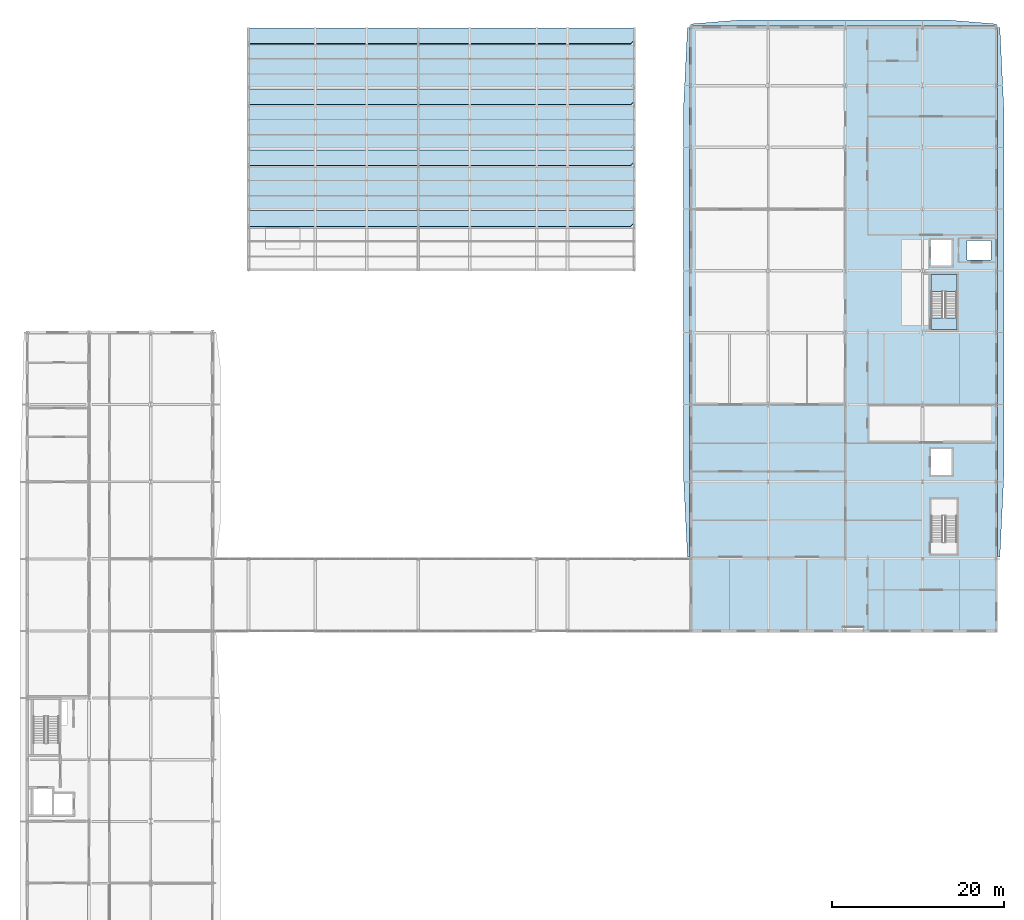
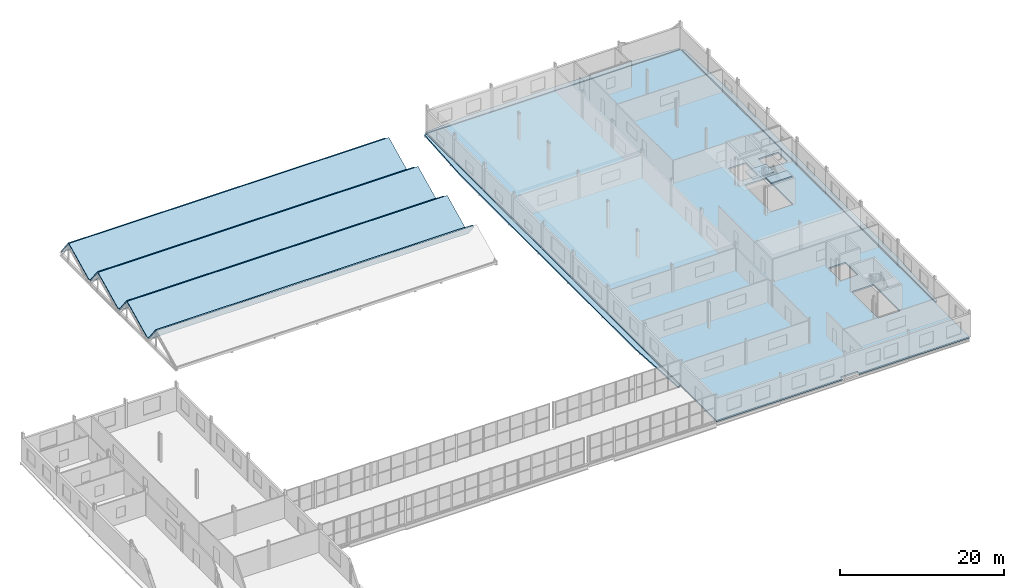
# One storey, part 103 of 138: 13 slabs, 1 element without a shape of its own.
"""IFC4 building model written with IfcOpenShell, lengths in metres."""

from ifc_helpers import new_model, si_unit, direction, frame, origin, place, context, subcontext, project, spatial, polyline, outline, extrude, material, layer, layer_set, type_object, element, aggregate, save


model = new_model("IFC4")

# Units and contexts
model_context = context("Model", 3, precision=1e-05, world=origin(), true_north=direction((0.0, 1.0)))
body_context = subcontext(model_context, "Body", "Model", "MODEL_VIEW")
ifc_project = project(units=[si_unit("LENGTHUNIT", "METRE"), si_unit("AREAUNIT", "SQUARE_METRE"), si_unit("VOLUMEUNIT", "CUBIC_METRE"), si_unit("PLANEANGLEUNIT", "RADIAN"), si_unit("MASSUNIT", "GRAM", prefix="KILO")], contexts=[model_context])

# Site, building, storey
site_placement = place(None, origin())
site = spatial("IfcSite", under=ifc_project, at=site_placement, CompositionType="ELEMENT")
building_placement = place(site_placement, origin())
building = spatial("IfcBuilding", under=site, at=building_placement, Name="Vinh Khe Railworks Police Headquarters", CompositionType="ELEMENT")
storey_placement = place(building_placement, frame((0.0, 0.0, 9.0)))
storey = spatial("IfcBuildingStorey", under=building, at=storey_placement, Name="L02", CompositionType="ELEMENT", Elevation=9.0)

# Slabs
ifc_material_1 = material(Name="Concrete C35/45 (B35)", Category="concrete")
ifc_layer_1 = layer(ifc_material_1, 0.199951171875)
ifc_layer_set_1 = layer_set([ifc_layer_1], Name="Concrete C35/45 (B35)")
slab_type_1 = type_object("IfcSlabType", Name="Flat Structural Roof Slab 200", PredefinedType="ROOF", material=ifc_layer_set_1)
slab_1_placement = place(storey_placement, frame((0.0, 0.0, -0.239990234375)))
element("IfcSlab", 1, at=slab_1_placement, inside=storey, type_object=slab_type_1, Name="Monsoon Window Eyebrow Hood V6W (L02)", PredefinedType="ROOF", context=body_context, shape_type="SweptSolid", body=[
    extrude(outline(polyline([(77.85009765625, 104.60009765625), (77.85009765625, 166.39990234375), (77.58740234375, 166.39990234375), (77.10009765625, 156.511962890625), (77.10009765625, 114.488037109375), (77.58740234375, 104.60009765625), (77.85009765625, 104.60009765625)])), origin(), (0.0, 0.0, 1.0), 0.199951171875),
])
slab_2_placement = place(storey_placement, frame((0.0, 0.0, -0.239990234375)))
element("IfcSlab", 2, at=slab_2_placement, inside=storey, type_object=slab_type_1, Name="Monsoon Window Eyebrow Hood V6E (L02)", PredefinedType="ROOF", context=body_context, shape_type="SweptSolid", body=[
    extrude(outline(polyline([(113.760009765625, 104.60009765625), (114.01904296875, 104.60009765625), (114.5, 114.488037109375), (114.5, 156.511962890625), (114.01904296875, 166.39990234375), (113.760009765625, 166.39990234375), (113.760009765625, 104.60009765625)])), origin(), (0.0, 0.0, 1.0), 0.199951171875),
])
slab_3_placement = place(storey_placement, frame((0.0, 0.0, -0.239990234375)))
element("IfcSlab", 3, at=slab_3_placement, inside=storey, type_object=slab_type_1, Name="Monsoon Window Eyebrow Hood V6N (L02)", PredefinedType="ROOF", context=body_context, shape_type="SweptSolid", body=[
    extrude(outline(polyline([(78.0, 166.5400390625), (113.60009765625, 166.5400390625), (113.60009765625, 166.78857421875), (107.904052734375, 167.25), (83.696044921875, 167.25), (78.0, 166.78857421875), (78.0, 166.5400390625)])), origin(), (0.0, 0.0, 1.0), 0.199951171875),
])

# Stair, slabs
ifc_material_2 = material(Name="Precast concrete C40/50 (B40)", Category="concrete")
stair_type = type_object("IfcStairType", Name="ST-CORE-DOGLEG", PredefinedType="HALF_TURN_STAIR", material=ifc_material_2)
stair_placement = place(storey_placement, origin())
stair = element("IfcStair", 4, at=stair_placement, inside=storey, type_object=stair_type, Name="L02 Escape Stair ST-03", PredefinedType="HALF_TURN_STAIR")
ifc_layer_2 = layer(ifc_material_1, 0.199951171875)
ifc_layer_set_2 = layer_set([ifc_layer_2], Name="Concrete C35/45 (B35)")
slab_type_2 = type_object("IfcSlabType", Name="SLB-LAND-200", PredefinedType="LANDING", material=ifc_layer_set_2)
slab_4_placement = place(storey_placement, frame((0.0, 0.0, 1.89990234375)))
slab_4 = element("IfcSlab", 5, at=slab_4_placement, type_object=slab_type_2, Name="ST-03 landing 1", PredefinedType="LANDING", context=body_context, shape_type="SweptSolid", body=[
    extrude(outline(polyline([(109.0, 135.580078125), (109.0, 137.550048828125), (106.0, 137.550048828125), (106.0, 135.580078125), (109.0, 135.580078125)])), origin(), (0.0, 0.0, 1.0), 0.2001953125),
])
slab_5_placement = place(storey_placement, frame((0.0, 0.0, 4.0)))
slab_5 = element("IfcSlab", 6, at=slab_5_placement, type_object=slab_type_2, Name="ST-03 landing 2", PredefinedType="LANDING", context=body_context, shape_type="SweptSolid", body=[
    extrude(outline(polyline([(105.97998046875, 131.1298828125), (109.02001953125, 131.1298828125), (109.02001953125, 132.510009765625), (105.97998046875, 132.510009765625), (105.97998046875, 131.1298828125)])), origin(), (0.0, 0.0, 1.0), 0.199951171875),
])
aggregate(stair, [slab_4, slab_5])

# Slabs
ifc_layer_3 = layer(ifc_material_1, 0.14990234375)
ifc_layer_set_3 = layer_set([ifc_layer_3], Name="Concrete C35/45 (B35)")
slab_type_3 = type_object("IfcSlabType", Name="Sawtooth Shed Roof Deck 150", PredefinedType="ROOF", material=ifc_layer_set_3)
slab_6_placement = place(storey_placement, frame((26.39990234375, 143.18994140625, 2.949951171875), z_axis=(-2.28956e-07, 0.79677876234, 0.604271134413), x_axis=(1.0, 1.82427e-07, 1.38352e-07)))
element("IfcSlab", 7, at=slab_6_placement, inside=storey, type_object=slab_type_3, Name="Sawtooth Shed Roof Facet 1N", PredefinedType="ROOF", context=body_context, shape_type="SweptSolid", body=[
    extrude(outline(polyline([(0.0, 0.0), (44.550048828123835, 0.0), (45.00000000000354, 0.7445908430683799), (44.99999999999884, 3.01200599141747), (2.3586839332366712e-14, 3.01200599141747), (0.0, 0.0)])), origin(), (0.0, 0.0, -1.0), 0.14990234375),
])
slab_7_placement = place(storey_placement, frame((26.39990234375, 145.18994140625, 0.550048828125), z_axis=(-1.03727e-07, -0.438397264052, 0.898781307589), x_axis=(1.0, -4.5474e-08, 9.3228e-08)))
element("IfcSlab", 8, at=slab_7_placement, inside=storey, type_object=slab_type_3, Name="Sawtooth Shed Roof Facet 2S", PredefinedType="ROOF", context=body_context, shape_type="SweptSolid", body=[
    extrude(outline(polyline([(0.0, 0.0), (44.550048828124766, 0.0), (45.00000000000073, 0.5006281958666045), (44.99999999999976, 5.474263866571279), (4.8411437799100325e-15, 5.474263866571279), (0.0, 0.0)])), origin(), (0.0, 0.0, -1.0), 0.14990234375),
])
slab_8_placement = place(storey_placement, frame((26.39990234375, 150.2900390625, 2.949951171875), z_axis=(-2.28956e-07, 0.79677876234, 0.604271134413), x_axis=(1.0, 1.82427e-07, 1.38352e-07)))
element("IfcSlab", 9, at=slab_8_placement, inside=storey, type_object=slab_type_3, Name="Sawtooth Shed Roof Facet 2N", PredefinedType="ROOF", context=body_context, shape_type="SweptSolid", body=[
    extrude(outline(polyline([(0.0, 0.0), (44.550048828123835, 0.0), (45.00000000000354, 0.7445908430683799), (44.99999999999884, 3.01200599141747), (2.3586839332366712e-14, 3.01200599141747), (0.0, 0.0)])), origin(), (0.0, 0.0, -1.0), 0.14990234375),
])
slab_9_placement = place(storey_placement, frame((26.39990234375, 152.2900390625, 0.550048828125), z_axis=(5.084e-09, -0.438414845318, 0.898772731788), x_axis=(1.0, 2.229e-09, -4.569e-09)))
element("IfcSlab", 10, at=slab_9_placement, inside=storey, type_object=slab_type_3, Name="Sawtooth Shed Roof Facet 3S", PredefinedType="ROOF", context=body_context, shape_type="SweptSolid", body=[
    extrude(outline(polyline([(0.0, 0.0), (44.550048828125, 0.0), (45.0, 0.500628195953436), (45.0, 5.47404443858837), (1.1628394209068381e-17, 5.47404443858837), (0.0, 0.0)])), origin(), (0.0, 0.0, -1.0), 0.14990234375),
])
slab_10_placement = place(storey_placement, frame((26.39990234375, 157.389892578125, 2.949951171875), z_axis=(-2.393032e-06, 0.796778957688, 0.604270876826), x_axis=(0.999999999997, 1.906717e-06, 1.446039e-06)))
element("IfcSlab", 11, at=slab_10_placement, inside=storey, type_object=slab_type_3, Name="Sawtooth Shed Roof Facet 3N", PredefinedType="ROOF", context=body_context, shape_type="SweptSolid", body=[
    extrude(outline(polyline([(0.0, 0.0), (44.55004882799744, 0.0), (45.00000000038655, 0.7447383701312175), (44.99999999987372, 3.012005991417279), (2.5766911823001527e-12, 3.012005991417279), (0.0, 0.0)])), origin(), (0.0, 0.0, -1.0), 0.14990234375),
])
slab_11_placement = place(storey_placement, frame((26.39990234375, 159.389892578125, 0.550048828125), z_axis=(1.086046e-06, -0.438397351945, 0.898781264717), x_axis=(0.999999999999, 4.7612e-07, -9.76118e-07)))
element("IfcSlab", 12, at=slab_11_placement, inside=storey, type_object=slab_type_3, Name="Sawtooth Shed Roof Facet 4S", PredefinedType="ROOF", context=body_context, shape_type="SweptSolid", body=[
    extrude(outline(polyline([(0.0, 0.0), (44.550048828098724, 0.0), (45.000000000079616, 0.5008476248872213), (44.99999999997399, 5.474263866571258), (5.307155920853128e-13, 5.474263866571258), (0.0, 0.0)])), origin(), (0.0, 0.0, -1.0), 0.14990234375),
])
slab_12_placement = place(storey_placement, frame((26.39990234375, 164.489990234375, 2.949951171875), z_axis=(-2.28956e-07, 0.79677876234, 0.604271134413), x_axis=(1.0, 1.82427e-07, 1.38352e-07)))
element("IfcSlab", 13, at=slab_12_placement, inside=storey, type_object=slab_type_3, Name="Sawtooth Shed Roof Facet 4N", PredefinedType="ROOF", context=body_context, shape_type="SweptSolid", body=[
    extrude(outline(polyline([(0.0, 0.0), (44.550048828123835, 0.0), (45.00000000000354, 0.7445908430683799), (44.99999999999884, 3.01200599141747), (2.3586839332366712e-14, 3.01200599141747), (0.0, 0.0)])), origin(), (0.0, 0.0, -1.0), 0.14990234375),
])
ifc_layer_4 = layer(ifc_material_1, 0.219970703125)
ifc_layer_set_4 = layer_set([ifc_layer_4], Name="Concrete C35/45 (B35)")
slab_type_4 = type_object("IfcSlabType", Name="Suspended Floor Slab 220", PredefinedType="FLOOR", material=ifc_layer_set_4)
slab_13_placement = place(storey_placement, frame((0.0, 0.0, -0.219970703125)))
element("IfcSlab", 14, at=slab_13_placement, inside=storey, type_object=slab_type_4, Name="V6 Floor Slab (L02)", PredefinedType="FLOOR", context=body_context, shape_type="SweptSolid", body=[
    extrude(outline(polyline([(78.0, 96.0), (95.699951171875, 96.0), (95.699951171875, 96.449951171875), (98.10009765625, 96.449951171875), (98.10009765625, 96.0), (113.60009765625, 96.0), (113.60009765625, 166.39990234375), (78.0, 166.39990234375), (78.0, 96.0)]), holes=[polyline([(105.969970703125, 131.1201171875), (109.030029296875, 131.1201171875), (109.030029296875, 137.580078125), (105.969970703125, 137.580078125), (105.969970703125, 131.1201171875)]), polyline([(105.97998046875, 138.580078125), (108.419921875, 138.580078125), (108.419921875, 141.6201171875), (105.97998046875, 141.6201171875), (105.97998046875, 138.580078125)]), polyline([(105.969970703125, 104.969970703125), (109.030029296875, 104.969970703125), (109.030029296875, 111.429931640625), (105.969970703125, 111.429931640625), (105.969970703125, 104.969970703125)]), polyline([(105.97998046875, 114.179931640625), (108.419921875, 114.179931640625), (108.419921875, 117.219970703125), (105.97998046875, 117.219970703125), (105.97998046875, 114.179931640625)]), polyline([(110.199951171875, 139.25), (113.0, 139.25), (113.0, 141.550048828125), (110.199951171875, 141.550048828125), (110.199951171875, 139.25)])]), origin(), (0.0, 0.0, 1.0), 0.219970703125),
])

save(model, "model.ifc")
